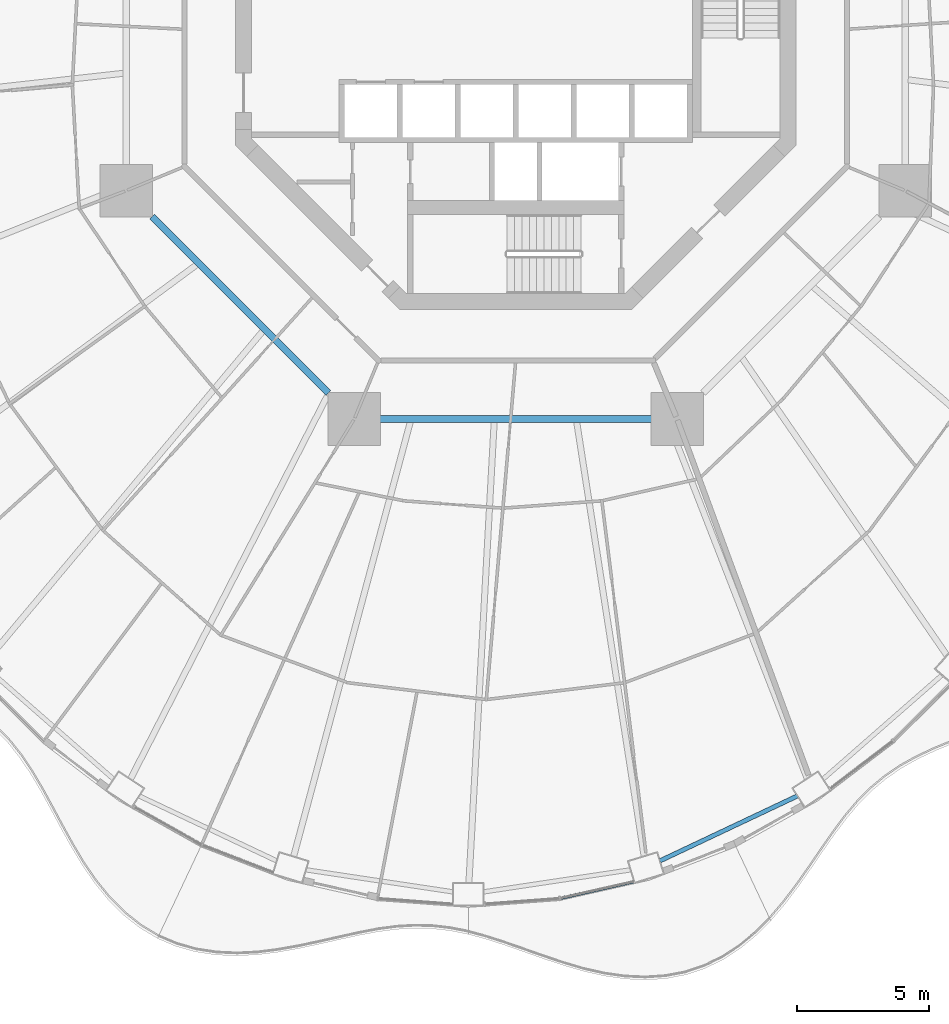
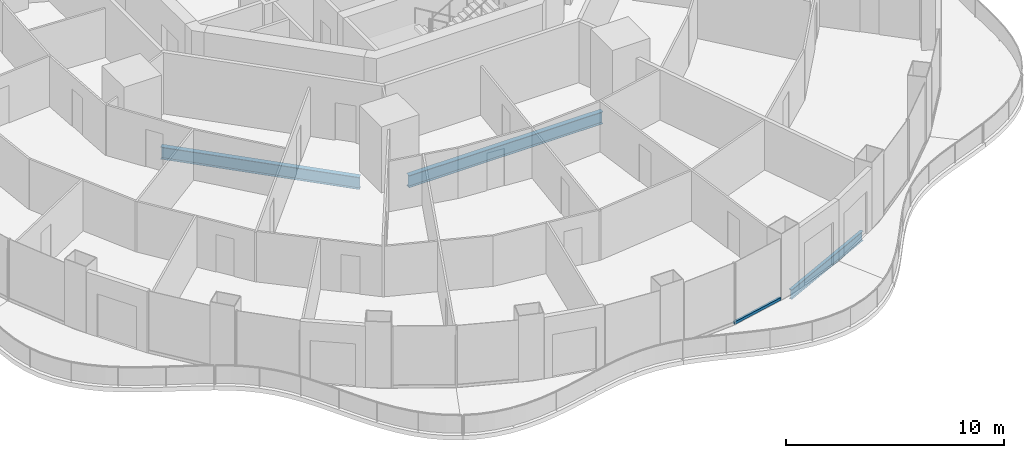
# One storey, part 4 of 19: 3 beams, 1 member, 1 element without a shape of its own.
"""IFC4 building model written with IfcOpenShell, lengths in metres."""

from ifc_helpers import new_model, si_unit, direction, frame, origin, origin_2d, place, context, subcontext, project, spatial, rectangle, i_section, extrude, material, layer, layer_set, material_profile, profile_set, type_object, element, aggregate, save


model = new_model("IFC4")

# Units and contexts
model_context = context("Model", 3, precision=1e-05, world=origin(), true_north=direction((0.0, 1.0)))
body_context = subcontext(model_context, "Body", "Model", "MODEL_VIEW")
ifc_project = project(units=[si_unit("LENGTHUNIT", "METRE"), si_unit("AREAUNIT", "SQUARE_METRE"), si_unit("VOLUMEUNIT", "CUBIC_METRE"), si_unit("PLANEANGLEUNIT", "RADIAN"), si_unit("MASSUNIT", "GRAM", prefix="KILO")], contexts=[model_context])

# Site, building, storey
site_placement = place(None, origin())
site = spatial("IfcSite", under=ifc_project, at=site_placement, CompositionType="ELEMENT")
building_placement = place(site_placement, origin())
building = spatial("IfcBuilding", under=site, at=building_placement, Name="Nagisa Residences", CompositionType="ELEMENT")
storey_placement = place(building_placement, frame((0.0, 0.0, 127.0)))
storey = spatial("IfcBuildingStorey", under=building, at=storey_placement, Name="L31", CompositionType="ELEMENT", Elevation=127.0)

# Curtain wall, member
ifc_material_1 = material(Name="Concrete-coloured aluminium curtain wall system", Category="concrete")
ifc_layer = layer(ifc_material_1, 0.159912109375)
ifc_layer_set = layer_set([ifc_layer], Name="CW1 CURTAIN WALL")
curtain_wall_type = type_object("IfcCurtainWallType", Name="CW1 CURTAIN WALL", PredefinedType="NOTDEFINED", material=ifc_layer_set)
curtain_wall_placement = place(storey_placement, origin())
curtain_wall = element("IfcCurtainWall", 1, at=curtain_wall_placement, inside=storey, type_object=curtain_wall_type, Name="cw:CW1:L31:37", PredefinedType="NOTDEFINED")
ifc_material_2 = material(Name="Concrete-coloured aluminium", Category="concrete")
ifc_material_profile_1 = material_profile(ifc_material_2, rectangle(XDim=0.1201171875, YDim=0.14990234375, at=origin_2d()), Name="CW1 TRANSOM 120x150")
ifc_profile_set_1 = profile_set([ifc_material_profile_1], Name="Concrete-coloured aluminium")
member_type = type_object("IfcMemberType", Name="CW1 TRANSOM 120x150", PredefinedType="USERDEFINED", material=ifc_profile_set_1)
member_placement = place(storey_placement, frame((1.645751953125, -32.976318359375, 0.074951171875), z_axis=(0.975320849653, 0.220792301117, 0.0), x_axis=(-0.220792301117, 0.975320849653, 0.0)))
member = element("IfcMember", 2, at=member_placement, type_object=member_type, Name="CW1 transom", ObjectType="TRANSOM", PredefinedType="USERDEFINED", context=body_context, shape_type="SweptSolid", body=[
    extrude(rectangle(XDim=0.1201171875, YDim=0.14990234375, at=origin_2d()), origin(), (0.0, 0.0, 1.0), 2.890380859375),
])
aggregate(curtain_wall, [member])

# Beams
ifc_material_3 = material(Name="Steel ASTM A572 Gr 50", Category="steel")
ifc_material_profile_2 = material_profile(ifc_material_3, i_section(OverallWidth=0.25390625, OverallDepth=0.68408203125, WebThickness=0.012451171875, FlangeThickness=0.018798828125, at=origin_2d()), Name="W690x140")
ifc_profile_set_2 = profile_set([ifc_material_profile_2], Name="Steel ASTM A572 Gr 50")
beam_type_1 = type_object("IfcBeamType", Name="Inner ring beam W690x140", PredefinedType="BEAM", material=ifc_profile_set_2)
beam_1_placement = place(storey_placement, frame((-13.796142578125, -7.10888671875, -0.60205078125), z_axis=(0.707106781187, -0.707106781187, 0.0), x_axis=(0.707106781187, 0.707106781187, 0.0)))
element("IfcBeam", 3, at=beam_1_placement, inside=storey, type_object=beam_type_1, Name="beam:L31:ib5", PredefinedType="BEAM", context=body_context, shape_type="SweptSolid", body=[
    extrude(i_section(OverallWidth=0.25390625, OverallDepth=0.68408203125, WebThickness=0.012451171875, FlangeThickness=0.018798828125, at=origin_2d()), origin(), (0.0, 0.0, 1.0), 9.457275390625),
])
beam_2_placement = place(storey_placement, frame((-5.142822265625, -14.781982421875, -0.60205078125), z_axis=(1.0, 0.0, 0.0), x_axis=(0.0, 1.0, 0.0)))
element("IfcBeam", 4, at=beam_2_placement, inside=storey, type_object=beam_type_1, Name="beam:L31:ib6", PredefinedType="BEAM", context=body_context, shape_type="SweptSolid", body=[
    extrude(i_section(OverallWidth=0.25390625, OverallDepth=0.68408203125, WebThickness=0.012451171875, FlangeThickness=0.018798828125, at=origin_2d()), origin(), (0.0, 0.0, 1.0), 10.28564453125),
])
ifc_material_4 = material(Name="Steel ASTM A572 Gr 50", Category="steel")
ifc_material_profile_3 = material_profile(ifc_material_4, i_section(OverallWidth=0.166015625, OverallDepth=0.534912109375, WebThickness=0.01025390625, FlangeThickness=0.0166015625, at=origin_2d()), Name="W530x85")
ifc_profile_set_3 = profile_set([ifc_material_profile_3], Name="Steel ASTM A572 Gr 50")
beam_type_2 = type_object("IfcBeamType", Name="Perimeter ring beam W530x85", PredefinedType="BEAM", material=ifc_profile_set_3)
beam_3_placement = place(storey_placement, frame((5.468505859375, -31.55029296875, -0.527587890625), z_axis=(0.904186034847, 0.427138870143, 0.0), x_axis=(-0.427138870143, 0.904186034847, 0.0)))
element("IfcBeam", 5, at=beam_3_placement, inside=storey, type_object=beam_type_2, Name="beam:L31:pb20", PredefinedType="BEAM", context=body_context, shape_type="SweptSolid", body=[
    extrude(i_section(OverallWidth=0.166015625, OverallDepth=0.534912109375, WebThickness=0.01025390625, FlangeThickness=0.0166015625, at=origin_2d()), origin(), (0.0, 0.0, 1.0), 5.772216796875),
])

save(model, "model.ifc")
